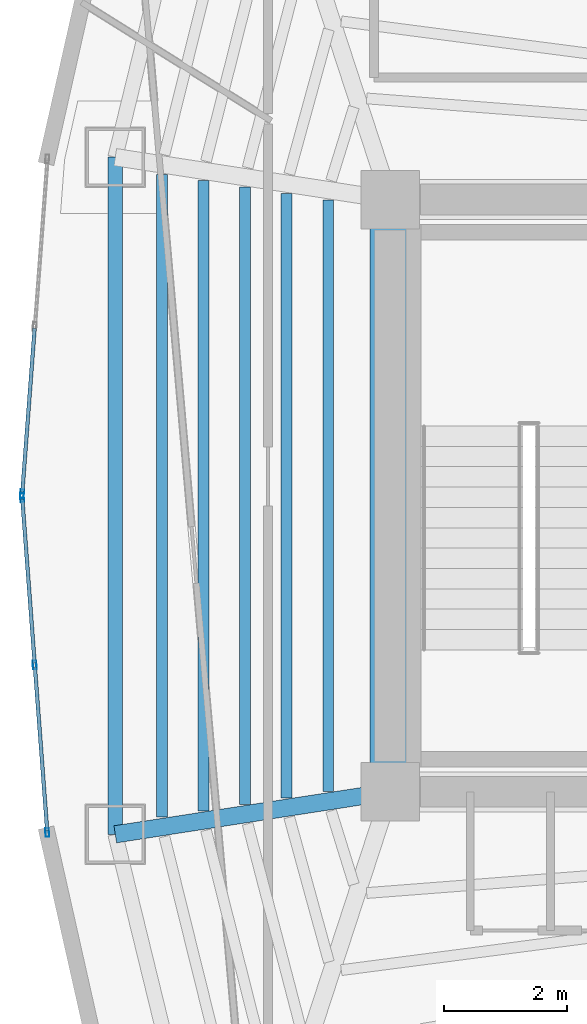
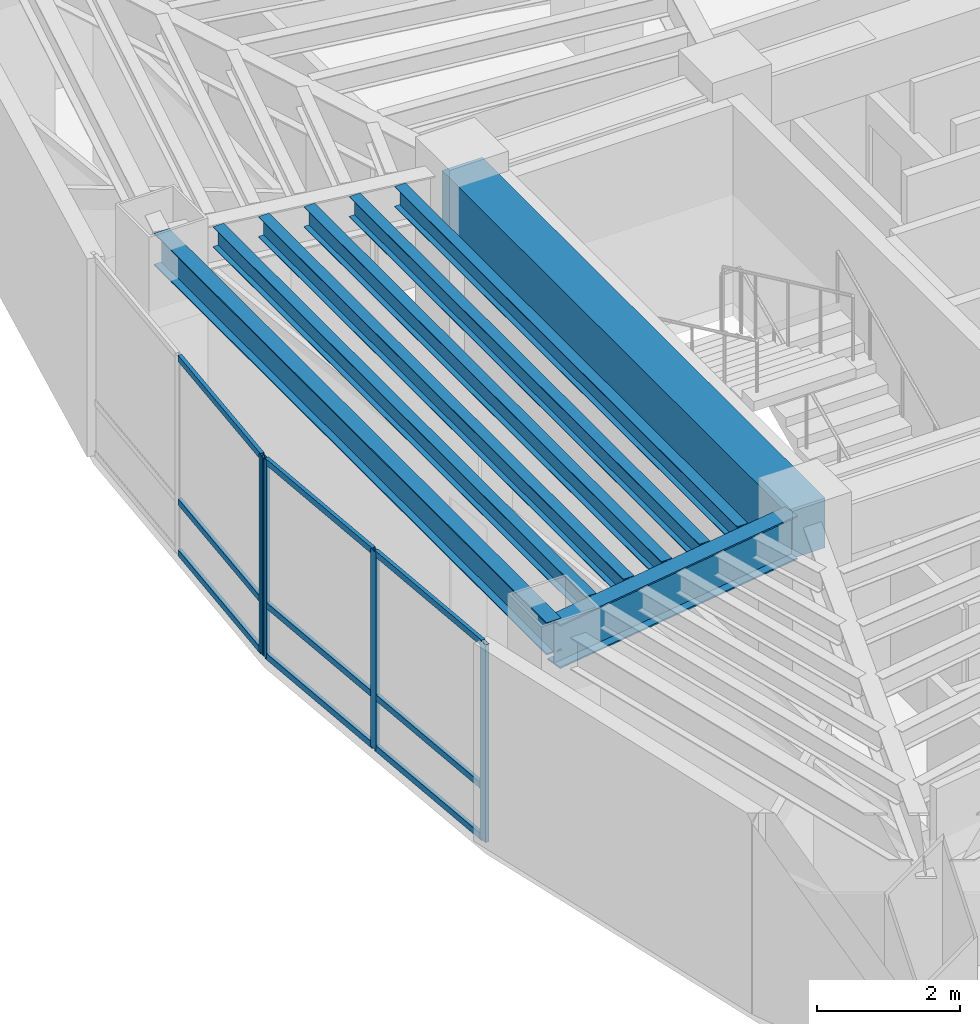
# One storey, part 3 of 16: 13 members, 8 beams, 2 elements without a shape of their own.
"""IFC4 building model written with IfcOpenShell, lengths in metres."""

import ifcopenshell
import ifcopenshell.guid

model = None  # the IFC model being written
_history = None  # IfcOwnerHistory: only IFC2X3 demands one
_inside = {}  # id of a spatial element -> (the spatial element, [elements in it])
_under = {}  # id of a project, library or spatial element -> (it, [spatial elements below it])
_declared = {}  # id of a project -> (the project, [libraries it declares])
_typed = {}  # id of a type object -> (the type object, [elements of that type])
_made_of = {}  # id of a material, layer set ... -> (it, [elements and type objects made of it])


def new_model(schema):
    """Start an empty IFC model of exactly this schema.

    Asked for "IFC4X3", IfcOpenShell would pick the latest addendum, in which some entities
    have other attributes; the version numbers below select the first issue.
    IFC2X3 requires an IfcOwnerHistory on every rooted entity: one is made here for all.
    """
    global model, _history
    if schema == "IFC4X3":
        model = ifcopenshell.file(schema_version=(4, 3, 0, 0))
    else:
        model = ifcopenshell.file(schema=schema)
    _inside.clear()
    _under.clear()
    _declared.clear()
    _typed.clear()
    _made_of.clear()
    _history = None
    if model.schema == "IFC2X3":
        org = make("IfcOrganization", Name="unknown")
        user = make(
            "IfcPersonAndOrganization",
            ThePerson=make("IfcPerson", FamilyName="unknown"),
            TheOrganization=org,
        )
        app = make(
            "IfcApplication",
            ApplicationDeveloper=org,
            Version="unknown",
            ApplicationFullName="unknown",
            ApplicationIdentifier="unknown",
        )
        _history = make(
            "IfcOwnerHistory",
            OwningUser=user,
            OwningApplication=app,
            ChangeAction="ADDED",
            CreationDate=0,
        )
    return model


def make(cls, **values):
    """One entity of the class cls with the attributes given. An attribute that is None is left unset."""
    return model.create_entity(
        cls, **{name: value for name, value in values.items() if value is not None}
    )


def rooted(cls, **values):
    """An entity with a GlobalId (a new one), such as an element, a storey or a relation."""
    return make(cls, GlobalId=ifcopenshell.guid.new(), OwnerHistory=_history, **values)


def si_unit(unit_type, name, prefix=None):
    """IfcSIUnit, for example si_unit("LENGTHUNIT", "METRE", prefix="MILLI")."""
    return make("IfcSIUnit", UnitType=unit_type, Prefix=prefix, Name=name)


def assignment(units):
    """IfcUnitAssignment: the units of a project."""
    return None if units is None else make("IfcUnitAssignment", Units=units)


def point(xyz):
    """IfcCartesianPoint."""
    return None if xyz is None else make("IfcCartesianPoint", Coordinates=xyz)


def direction(xyz):
    """IfcDirection."""
    return None if xyz is None else make("IfcDirection", DirectionRatios=xyz)


def frame(location, z_axis=None, x_axis=None):
    """IfcAxis2Placement3D, a coordinate frame: its origin and axes. An axis left out is left unset."""
    return make(
        "IfcAxis2Placement3D",
        Location=point(location),
        Axis=direction(z_axis),
        RefDirection=direction(x_axis),
    )


def frame_2d(location, x_axis=None):
    """IfcAxis2Placement2D, a coordinate frame in the plane: its origin and x axis."""
    return make(
        "IfcAxis2Placement2D", Location=point(location), RefDirection=direction(x_axis)
    )


def origin():
    """The frame at (0, 0, 0) with its axes left unset."""
    return frame((0.0, 0.0, 0.0))


def origin_2d():
    """The frame at (0, 0) in the plane with its x axis left unset."""
    return frame_2d((0.0, 0.0))


def place(relative_to, where):
    """IfcLocalPlacement: puts the frame where relative to a parent placement (None: the world)."""
    return make(
        "IfcLocalPlacement", PlacementRelTo=relative_to, RelativePlacement=where
    )


def context(
    kind, dimensions, precision=None, world=None, true_north=None, identifier=None
):
    """IfcGeometricRepresentationContext, for example the 3D "Model" context."""
    return make(
        "IfcGeometricRepresentationContext",
        ContextIdentifier=identifier,
        ContextType=kind,
        CoordinateSpaceDimension=dimensions,
        Precision=precision,
        WorldCoordinateSystem=world,
        TrueNorth=true_north,
    )


def subcontext(parent, identifier, kind, view, scale=None):
    """IfcGeometricRepresentationSubContext, for example "Body" below "Model"."""
    return make(
        "IfcGeometricRepresentationSubContext",
        ContextIdentifier=identifier,
        ContextType=kind,
        ParentContext=parent,
        TargetScale=scale,
        TargetView=view,
    )


def project(units=None, contexts=None):
    """IfcProject with its units and contexts."""
    return rooted(
        "IfcProject",
        Name="project",
        RepresentationContexts=contexts,
        UnitsInContext=assignment(units),
    )


def spatial(cls, under=None, at=None, **own):
    """A site, building, storey or space (cls), placed at a placement, below another one or the project."""
    s = rooted(cls, ObjectPlacement=at, **own)
    if under is not None:
        _under.setdefault(under.id(), (under, []))[1].append(s)
    return s


def profile(cls, at=None, kind="AREA", **sizes):
    """A parametric profile (cls). Its sizes go by their IFC names, for example OverallWidth=200.0."""
    return make(cls, ProfileType=kind, Position=at, **sizes)


def rectangle(**sizes):
    """IfcRectangleProfileDef."""
    return profile("IfcRectangleProfileDef", **sizes)


def hollow_rectangle(**sizes):
    """IfcRectangleHollowProfileDef."""
    return profile("IfcRectangleHollowProfileDef", **sizes)


def i_section(**sizes):
    """IfcIShapeProfileDef."""
    return profile("IfcIShapeProfileDef", **sizes)


def extrude(swept, where, along, depth):
    """IfcExtrudedAreaSolid: the profile swept, set in the frame where, extruded along a direction by depth."""
    return make(
        "IfcExtrudedAreaSolid",
        SweptArea=swept,
        Position=where,
        ExtrudedDirection=direction(along),
        Depth=depth,
    )


def shape(context_of_items, identifier, shape_type, items):
    """IfcShapeRepresentation: the items that make up one representation, for example the "Body"."""
    return make(
        "IfcShapeRepresentation",
        ContextOfItems=context_of_items,
        RepresentationIdentifier=identifier,
        RepresentationType=shape_type,
        Items=items,
    )


def material(Name=None, Category=None):
    """IfcMaterial."""
    return make("IfcMaterial", Name=Name, Category=Category)


def layer(
    of_material, thickness, ventilated=None, Name=None, Category=None, Priority=None
):
    """IfcMaterialLayer: one layer of a wall or slab, of a material (None: an air gap)."""
    return make(
        "IfcMaterialLayer",
        Material=of_material,
        LayerThickness=thickness,
        IsVentilated=ventilated,
        Name=Name,
        Category=Category,
        Priority=Priority,
    )


def layer_set(layers, Name=None):
    """IfcMaterialLayerSet."""
    return make("IfcMaterialLayerSet", MaterialLayers=layers, LayerSetName=Name)


def material_profile(
    of_material, cross_section, Name=None, Category=None, Priority=None
):
    """IfcMaterialProfile: a cross section and its material."""
    return make(
        "IfcMaterialProfile",
        Name=Name,
        Material=of_material,
        Profile=cross_section,
        Priority=Priority,
        Category=Category,
    )


def profile_set(profiles, Name=None, composite=None):
    """IfcMaterialProfileSet."""
    return make(
        "IfcMaterialProfileSet",
        Name=Name,
        MaterialProfiles=profiles,
        CompositeProfile=composite,
    )


def made_of(thing, what):
    """Note that an element or type object is made of a material, layer set ...; save() writes the relation."""
    if what is not None:
        _made_of.setdefault(what.id(), (what, []))[1].append(thing)
    return thing


def type_object(cls, material=None, **own):
    """A type object (cls), such as IfcWallType, which elements share."""
    return made_of(rooted(cls, **own), material)


def element(
    cls,
    number,
    at=None,
    inside=None,
    cuts=None,
    type_object=None,
    material=None,
    context=None,
    identifier="Body",
    shape_type=None,
    held_by="IfcProductDefinitionShape",
    body=None,
    shapes=None,
    **own,
):
    """One element of the class cls, such as IfcWall. Its Tag is "e" and its number.

    at: its placement. inside: the storey or other place that contains it. cuts: it is an
    opening in that element (IfcRelVoidsElement). A single representation is given by context,
    identifier, shape_type and body (its items); several are given by shapes. held_by: the class
    of the entity that holds the representations. save() writes the other relations.
    """
    e = rooted(cls, Tag="e%d" % number, ObjectPlacement=at, **own)
    if body is not None:
        shapes = [shape(context, identifier, shape_type, body)]
    if shapes is not None:
        e.Representation = make(held_by, Representations=shapes)
    if inside is not None:
        _inside.setdefault(inside.id(), (inside, []))[1].append(e)
    if cuts is not None:
        rooted(
            "IfcRelVoidsElement", RelatingBuildingElement=cuts, RelatedOpeningElement=e
        )
    if type_object is not None:
        _typed.setdefault(type_object.id(), (type_object, []))[1].append(e)
    return made_of(e, material)


def aggregate(whole, parts):
    """IfcRelAggregates: a whole, such as a stair, and the parts it consists of."""
    return rooted("IfcRelAggregates", RelatingObject=whole, RelatedObjects=parts)


def save(model, path):
    """Write the relations noted so far, then the file.

    IfcRelAggregates (storeys below a building ...), IfcRelContainedInSpatialStructure (elements
    in a storey), IfcRelDefinesByType, IfcRelAssociatesMaterial and IfcRelDeclares: one each for
    every whole, place, type object, material and project.
    """
    for whole, parts in _under.values():
        aggregate(whole, parts)
    for where, things in _inside.values():
        rooted(
            "IfcRelContainedInSpatialStructure",
            RelatedElements=things,
            RelatingStructure=where,
        )
    for kind, things in _typed.values():
        rooted("IfcRelDefinesByType", RelatedObjects=things, RelatingType=kind)
    for what, things in _made_of.values():
        rooted("IfcRelAssociatesMaterial", RelatedObjects=things, RelatingMaterial=what)
    for by, libraries in _declared.values():
        rooted("IfcRelDeclares", RelatingContext=by, RelatedDefinitions=libraries)
    model.write(path)


model = new_model("IFC4")

# Units and contexts
model_context = context("Model", 3, precision=1e-05, world=origin(), true_north=direction((0.0, 1.0)))
body_context = subcontext(model_context, "Body", "Model", "MODEL_VIEW")
ifc_project = project(units=[si_unit("LENGTHUNIT", "METRE"), si_unit("AREAUNIT", "SQUARE_METRE"), si_unit("VOLUMEUNIT", "CUBIC_METRE"), si_unit("PLANEANGLEUNIT", "RADIAN"), si_unit("MASSUNIT", "GRAM", prefix="KILO")], contexts=[model_context])

# Site, building, storey
site_placement = place(None, origin())
site = spatial("IfcSite", under=ifc_project, at=site_placement, CompositionType="ELEMENT")
building_placement = place(site_placement, origin())
building = spatial("IfcBuilding", under=site, at=building_placement, Name="Menara Vayukalpa", CompositionType="ELEMENT")
storey_placement = place(building_placement, frame((0.0, 0.0, 210.1201171875)))
storey = spatial("IfcBuildingStorey", under=building, at=storey_placement, Name="L53", CompositionType="ELEMENT", Elevation=210.1201171875)

# Beams
ifc_material_1 = material(Name="Concrete C60/75", Category="concrete")
ifc_material_profile_1 = material_profile(ifc_material_1, rectangle(XDim=0.64990234375, YDim=0.85009765625, at=origin_2d()), Name="RC 650x850")
ifc_profile_set_1 = profile_set([ifc_material_profile_1], Name="Concrete C60/75")
beam_type_1 = type_object("IfcBeamType", Name="BM-CB1", PredefinedType="BEAM", material=ifc_profile_set_1)
beam_1_placement = place(storey_placement, frame((17.800048828125, 17.199951171875, 2.954833984375), z_axis=(0.0, 1.0, 0.0), x_axis=(-1.0, 0.0, 0.0)))
element("IfcBeam", 1, at=beam_1_placement, inside=storey, type_object=beam_type_1, Name="L53 Core Tie Beam CBR7", PredefinedType="BEAM", context=body_context, shape_type="SweptSolid", body=[
    extrude(rectangle(XDim=0.64990234375, YDim=0.85009765625, at=origin_2d()), origin(), (0.0, 0.0, 1.0), 9.60009765625),
])
ifc_material_2 = material(Name="Steel S355", Category="steel")
ifc_material_profile_2 = material_profile(ifc_material_2, i_section(OverallWidth=0.280029296875, OverallDepth=0.75, WebThickness=0.013916015625, FlangeThickness=0.02490234375, at=origin_2d()), Name="WF 750x280x14x25")
ifc_profile_set_2 = profile_set([ifc_material_profile_2], Name="Steel S355")
beam_type_2 = type_object("IfcBeamType", Name="BM-PG4", PredefinedType="BEAM", material=ifc_profile_set_2)
beam_2_placement = place(storey_placement, frame((17.552978515625, 17.161865234375, 3.0048828125), z_axis=(-0.988244781219, -0.152879862617, 0.0), x_axis=(0.152879862617, -0.988244781219, 0.0)))
element("IfcBeam", 2, at=beam_2_placement, inside=storey, type_object=beam_type_2, Name="L53 Primary Radial Girder RG06", PredefinedType="BEAM", context=body_context, shape_type="SweptSolid", body=[
    extrude(i_section(OverallWidth=0.280029296875, OverallDepth=0.75, WebThickness=0.013916015625, FlangeThickness=0.02490234375, at=origin_2d()), origin(), (0.0, 0.0, 1.0), 4.259033203125),
])
ifc_material_3 = material(Name="Steel S355", Category="steel")
ifc_material_profile_3 = material_profile(ifc_material_3, i_section(OverallWidth=0.175048828125, OverallDepth=0.35009765625, WebThickness=0.007080078125, FlangeThickness=0.010986328125, at=origin_2d()), Name="WF 350x175x7x11")
ifc_profile_set_3 = profile_set([ifc_material_profile_3], Name="Steel S355")
beam_type_3 = type_object("IfcBeamType", Name="BM-SJ3", PredefinedType="JOIST", material=ifc_profile_set_3)
beam_3_placement = place(storey_placement, frame((16.79541015625, 26.79541015625, 3.204833984375), z_axis=(0.0, -1.0, 0.0), x_axis=(1.0, 0.0, 0.0)))
element("IfcBeam", 3, at=beam_3_placement, inside=storey, type_object=beam_type_3, Name="L53 Secondary Floor Joist SJ05-1", PredefinedType="JOIST", context=body_context, shape_type="SweptSolid", body=[
    extrude(i_section(OverallWidth=0.175048828125, OverallDepth=0.35009765625, WebThickness=0.007080078125, FlangeThickness=0.010986328125, at=origin_2d()), origin(), (0.0, 0.0, 1.0), 9.5908203125),
])
beam_4_placement = place(storey_placement, frame((16.121826171875, 26.8994140625, 3.204833984375), z_axis=(0.0, -1.0, 0.0), x_axis=(1.0, 0.0, 0.0)))
element("IfcBeam", 4, at=beam_4_placement, inside=storey, type_object=beam_type_3, Name="L53 Secondary Floor Joist SJ05-2", PredefinedType="JOIST", context=body_context, shape_type="SweptSolid", body=[
    extrude(i_section(OverallWidth=0.175048828125, OverallDepth=0.35009765625, WebThickness=0.007080078125, FlangeThickness=0.010986328125, at=origin_2d()), origin(), (0.0, 0.0, 1.0), 9.798828125),
])
beam_5_placement = place(storey_placement, frame((15.448486328125, 27.003662109375, 3.204833984375), z_axis=(0.0, -1.0, 0.0), x_axis=(1.0, 0.0, 0.0)))
element("IfcBeam", 5, at=beam_5_placement, inside=storey, type_object=beam_type_3, Name="L53 Secondary Floor Joist SJ05-3", PredefinedType="JOIST", context=body_context, shape_type="SweptSolid", body=[
    extrude(i_section(OverallWidth=0.175048828125, OverallDepth=0.35009765625, WebThickness=0.007080078125, FlangeThickness=0.010986328125, at=origin_2d()), origin(), (0.0, 0.0, 1.0), 10.00732421875),
])
beam_6_placement = place(storey_placement, frame((14.77490234375, 27.10791015625, 3.204833984375), z_axis=(0.0, -1.0, 0.0), x_axis=(1.0, 0.0, 0.0)))
element("IfcBeam", 6, at=beam_6_placement, inside=storey, type_object=beam_type_3, Name="L53 Secondary Floor Joist SJ05-4", PredefinedType="JOIST", context=body_context, shape_type="SweptSolid", body=[
    extrude(i_section(OverallWidth=0.175048828125, OverallDepth=0.35009765625, WebThickness=0.007080078125, FlangeThickness=0.010986328125, at=origin_2d()), origin(), (0.0, 0.0, 1.0), 10.2158203125),
])
beam_7_placement = place(storey_placement, frame((14.1015625, 27.2119140625, 3.204833984375), z_axis=(0.0, -1.0, 0.0), x_axis=(1.0, 0.0, 0.0)))
element("IfcBeam", 7, at=beam_7_placement, inside=storey, type_object=beam_type_3, Name="L53 Secondary Floor Joist SJ05-5", PredefinedType="JOIST", context=body_context, shape_type="SweptSolid", body=[
    extrude(i_section(OverallWidth=0.175048828125, OverallDepth=0.35009765625, WebThickness=0.007080078125, FlangeThickness=0.010986328125, at=origin_2d()), origin(), (0.0, 0.0, 1.0), 10.423828125),
])
ifc_material_4 = material(Name="Steel S355", Category="steel")
ifc_material_profile_4 = material_profile(ifc_material_4, i_section(OverallWidth=0.239990234375, OverallDepth=0.550048828125, WebThickness=0.010986328125, FlangeThickness=0.01904296875, at=origin_2d()), Name="WF 550x240x11x19")
ifc_profile_set_4 = profile_set([ifc_material_profile_4], Name="Steel S355")
beam_type_4 = type_object("IfcBeamType", Name="BM-SP2", PredefinedType="SPANDREL", material=ifc_profile_set_4)
beam_8_placement = place(storey_placement, frame((13.343994140625, 27.4892578125, 3.10498046875), z_axis=(0.0, -1.0, 0.0), x_axis=(1.0, 0.0, 0.0)))
element("IfcBeam", 8, at=beam_8_placement, inside=storey, type_object=beam_type_4, Name="L53 Perimeter Spandrel Beam SP05", PredefinedType="SPANDREL", context=body_context, shape_type="SweptSolid", body=[
    extrude(i_section(OverallWidth=0.239990234375, OverallDepth=0.550048828125, WebThickness=0.010986328125, FlangeThickness=0.01904296875, at=origin_2d()), origin(), (0.0, 0.0, 1.0), 10.978515625),
])

# Curtain wall, member
ifc_material_5 = material(Name="Anodised Terracotta Aluminium Alloy 6063-T6", Category="masonry")
ifc_layer = layer(ifc_material_5, 0.139892578125)
ifc_layer_set = layer_set([ifc_layer], Name="Anodised Terracotta Aluminium Alloy 6063-T6")
curtain_wall_type = type_object("IfcCurtainWallType", Name="CW-CW5", PredefinedType="USERDEFINED", material=ifc_layer_set)
curtain_wall_1_placement = place(storey_placement, origin())
curtain_wall_1 = element("IfcCurtainWall", 9, at=curtain_wall_1_placement, inside=storey, type_object=curtain_wall_type, Name="L53 High Rise Tapered Curtain Wall CW5 10", ObjectType="UNITISED", PredefinedType="USERDEFINED")
ifc_material_6 = material(Name="Anodised Terracotta Aluminium Alloy 6063-T6", Category="masonry")
ifc_material_profile_5 = material_profile(ifc_material_6, hollow_rectangle(XDim=0.06005859375, YDim=0.139892578125, WallThickness=0.00341796875, at=origin_2d()), Name="ALU 60x140x3.5")
ifc_profile_set_5 = profile_set([ifc_material_profile_5], Name="Anodised Terracotta Aluminium Alloy 6063-T6")
member_type_1 = type_object("IfcMemberType", Name="CWM-CW5", PredefinedType="MULLION", material=ifc_profile_set_5)
member_1_placement = place(storey_placement, frame((11.83447265625, 22.030029296875, 0.0), z_axis=(0.0, 0.0, 1.0), x_axis=(0.9971991744, -0.074791754736, 0.0)))
member_1 = element("IfcMember", 10, at=member_1_placement, type_object=member_type_1, Name="CW5 mullion 3", PredefinedType="MULLION", context=body_context, shape_type="SweptSolid", body=[
    extrude(hollow_rectangle(XDim=0.06005859375, YDim=0.139892578125, WallThickness=0.00341796875, at=origin_2d()), origin(), (0.0, 0.0, 1.0), 3.3798828125),
])

# Curtain wall, members
curtain_wall_2_placement = place(storey_placement, origin())
curtain_wall_2 = element("IfcCurtainWall", 11, at=curtain_wall_2_placement, inside=storey, type_object=curtain_wall_type, Name="L53 High Rise Tapered Curtain Wall CW5 11", ObjectType="UNITISED", PredefinedType="USERDEFINED")
member_2_placement = place(storey_placement, frame((11.83447265625, 21.969970703125, 0.0), z_axis=(0.0, 0.0, 1.0), x_axis=(0.9971991744, 0.074791754736, 0.0)))
member_2 = element("IfcMember", 12, at=member_2_placement, type_object=member_type_1, Name="CW5 mullion 1", PredefinedType="MULLION", context=body_context, shape_type="SweptSolid", body=[
    extrude(hollow_rectangle(XDim=0.06005859375, YDim=0.139892578125, WallThickness=0.00341796875, at=origin_2d()), origin(), (0.0, 0.0, 1.0), 3.3798828125),
])
member_3_placement = place(storey_placement, frame((12.0380859375, 19.25537109375, 0.0), z_axis=(0.0, 0.0, 1.0), x_axis=(0.9971991744, 0.074791754736, 0.0)))
member_3 = element("IfcMember", 13, at=member_3_placement, type_object=member_type_1, Name="CW5 mullion 2", PredefinedType="MULLION", context=body_context, shape_type="SweptSolid", body=[
    extrude(hollow_rectangle(XDim=0.06005859375, YDim=0.139892578125, WallThickness=0.00341796875, at=origin_2d()), origin(), (0.0, 0.0, 1.0), 3.3798828125),
])
member_4_placement = place(storey_placement, frame((12.24169921875, 16.540771484375, 0.0), z_axis=(0.0, 0.0, 1.0), x_axis=(0.9971991744, 0.074791754736, 0.0)))
member_4 = element("IfcMember", 14, at=member_4_placement, type_object=member_type_1, Name="CW5 mullion 3", PredefinedType="MULLION", context=body_context, shape_type="SweptSolid", body=[
    extrude(hollow_rectangle(XDim=0.06005859375, YDim=0.139892578125, WallThickness=0.00341796875, at=origin_2d()), origin(), (0.0, 0.0, 1.0), 3.3798828125),
])

# Member
ifc_material_7 = material(Name="Anodised Terracotta Aluminium Alloy 6063-T6", Category="masonry")
ifc_material_profile_6 = material_profile(ifc_material_7, hollow_rectangle(XDim=0.06005859375, YDim=0.10498046875, WallThickness=0.0029296875, at=origin_2d()), Name="ALU 60x105x3")
ifc_profile_set_6 = profile_set([ifc_material_profile_6], Name="Anodised Terracotta Aluminium Alloy 6063-T6")
member_type_2 = type_object("IfcMemberType", Name="CWT-CW5", PredefinedType="USERDEFINED", material=ifc_profile_set_6)
member_5_placement = place(storey_placement, frame((12.035888671875, 24.714599609375, 0.02978515625), z_axis=(-0.074830984436, -0.997196231325, 0.0), x_axis=(0.997196231325, -0.074830984436, 0.0)))
member_5 = element("IfcMember", 15, at=member_5_placement, type_object=member_type_2, Name="CW5 transom 2.1", ObjectType="TRANSOM", PredefinedType="USERDEFINED", context=body_context, shape_type="SweptSolid", body=[
    extrude(hollow_rectangle(XDim=0.06005859375, YDim=0.10498046875, WallThickness=0.0029296875, at=origin_2d()), origin(), (0.0, 0.0, 1.0), 2.662353515625),
])

member_6_placement = place(storey_placement, frame((12.035888671875, 24.714599609375, 0.89990234375), z_axis=(-0.074830984436, -0.997196231325, 0.0), x_axis=(0.997196231325, -0.074830984436, 0.0)))
member_6 = element("IfcMember", 16, at=member_6_placement, type_object=member_type_2, Name="CW5 transom 2.2", ObjectType="TRANSOM", PredefinedType="USERDEFINED", context=body_context, shape_type="SweptSolid", body=[
    extrude(hollow_rectangle(XDim=0.06005859375, YDim=0.10498046875, WallThickness=0.0029296875, at=origin_2d()), origin(), (0.0, 0.0, 1.0), 2.662353515625),
])

member_7_placement = place(storey_placement, frame((12.035888671875, 24.714599609375, 3.349853515625), z_axis=(-0.074830984436, -0.997196231325, 0.0), x_axis=(0.997196231325, -0.074830984436, 0.0)))
member_7 = element("IfcMember", 17, at=member_7_placement, type_object=member_type_2, Name="CW5 transom 2.3", ObjectType="TRANSOM", PredefinedType="USERDEFINED", context=body_context, shape_type="SweptSolid", body=[
    extrude(hollow_rectangle(XDim=0.06005859375, YDim=0.10498046875, WallThickness=0.0029296875, at=origin_2d()), origin(), (0.0, 0.0, 1.0), 2.662353515625),
])

aggregate(curtain_wall_1, [member_1, member_5, member_6, member_7])

member_8_placement = place(storey_placement, frame((11.836669921875, 21.940185546875, 0.02978515625), z_axis=(0.074830984436, -0.997196231325, 0.0), x_axis=(0.997196231325, 0.074830984436, 0.0)))
member_8 = element("IfcMember", 18, at=member_8_placement, type_object=member_type_2, Name="CW5 transom 1.1", ObjectType="TRANSOM", PredefinedType="USERDEFINED", context=body_context, shape_type="SweptSolid", body=[
    extrude(hollow_rectangle(XDim=0.06005859375, YDim=0.10498046875, WallThickness=0.0029296875, at=origin_2d()), origin(), (0.0, 0.0, 1.0), 2.662353515625),
])

member_9_placement = place(storey_placement, frame((11.836669921875, 21.940185546875, 0.89990234375), z_axis=(0.074830984436, -0.997196231325, 0.0), x_axis=(0.997196231325, 0.074830984436, 0.0)))
member_9 = element("IfcMember", 19, at=member_9_placement, type_object=member_type_2, Name="CW5 transom 1.2", ObjectType="TRANSOM", PredefinedType="USERDEFINED", context=body_context, shape_type="SweptSolid", body=[
    extrude(hollow_rectangle(XDim=0.06005859375, YDim=0.10498046875, WallThickness=0.0029296875, at=origin_2d()), origin(), (0.0, 0.0, 1.0), 2.662353515625),
])

member_10_placement = place(storey_placement, frame((11.836669921875, 21.940185546875, 3.349853515625), z_axis=(0.074830984436, -0.997196231325, 0.0), x_axis=(0.997196231325, 0.074830984436, 0.0)))
member_10 = element("IfcMember", 20, at=member_10_placement, type_object=member_type_2, Name="CW5 transom 1.3", ObjectType="TRANSOM", PredefinedType="USERDEFINED", context=body_context, shape_type="SweptSolid", body=[
    extrude(hollow_rectangle(XDim=0.06005859375, YDim=0.10498046875, WallThickness=0.0029296875, at=origin_2d()), origin(), (0.0, 0.0, 1.0), 2.662353515625),
])

member_11_placement = place(storey_placement, frame((12.040283203125, 19.2255859375, 0.02978515625), z_axis=(0.074824141952, -0.997196744771, 0.0), x_axis=(0.997196744771, 0.074824141952, 0.0)))
member_11 = element("IfcMember", 21, at=member_11_placement, type_object=member_type_2, Name="CW5 transom 2.1", ObjectType="TRANSOM", PredefinedType="USERDEFINED", context=body_context, shape_type="SweptSolid", body=[
    extrude(hollow_rectangle(XDim=0.06005859375, YDim=0.10498046875, WallThickness=0.0029296875, at=origin_2d()), origin(), (0.0, 0.0, 1.0), 2.66259765625),
])

member_12_placement = place(storey_placement, frame((12.040283203125, 19.2255859375, 0.89990234375), z_axis=(0.074824141952, -0.997196744771, 0.0), x_axis=(0.997196744771, 0.074824141952, 0.0)))
member_12 = element("IfcMember", 22, at=member_12_placement, type_object=member_type_2, Name="CW5 transom 2.2", ObjectType="TRANSOM", PredefinedType="USERDEFINED", context=body_context, shape_type="SweptSolid", body=[
    extrude(hollow_rectangle(XDim=0.06005859375, YDim=0.10498046875, WallThickness=0.0029296875, at=origin_2d()), origin(), (0.0, 0.0, 1.0), 2.66259765625),
])

member_13_placement = place(storey_placement, frame((12.040283203125, 19.2255859375, 3.349853515625), z_axis=(0.074824141952, -0.997196744771, 0.0), x_axis=(0.997196744771, 0.074824141952, 0.0)))
member_13 = element("IfcMember", 23, at=member_13_placement, type_object=member_type_2, Name="CW5 transom 2.3", ObjectType="TRANSOM", PredefinedType="USERDEFINED", context=body_context, shape_type="SweptSolid", body=[
    extrude(hollow_rectangle(XDim=0.06005859375, YDim=0.10498046875, WallThickness=0.0029296875, at=origin_2d()), origin(), (0.0, 0.0, 1.0), 2.66259765625),
])

aggregate(curtain_wall_2, [member_2, member_3, member_4, member_8, member_9, member_10, member_11, member_12, member_13])

save(model, "model.ifc")
